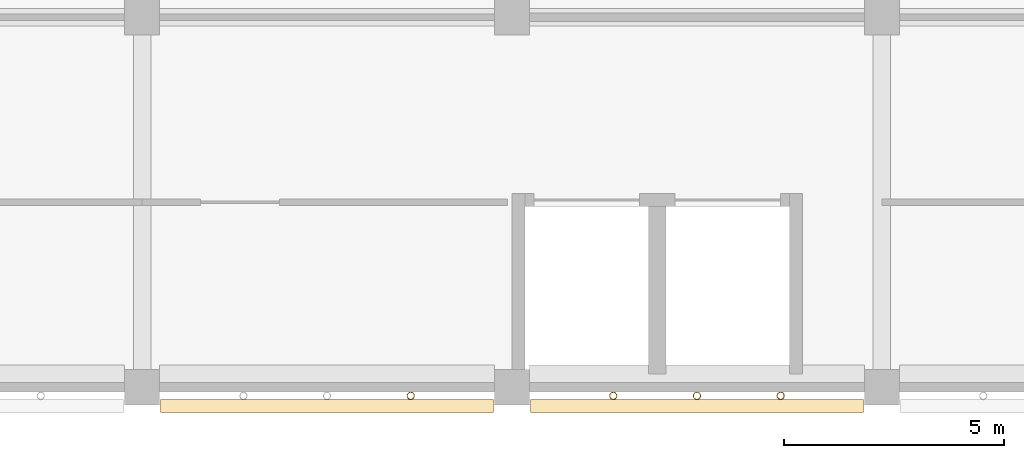
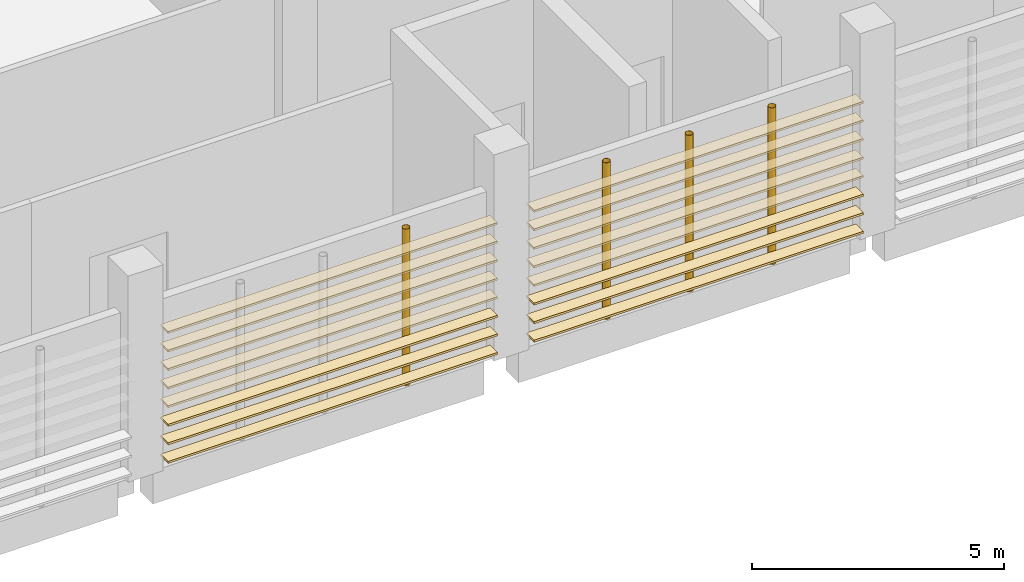
# One storey, part 69 of 101: 16 coverings, 4 shading devices.
"""IFC4 building model written with IfcOpenShell, lengths in metres."""

from ifc_helpers import new_model, si_unit, direction, frame, origin, origin_2d, place, context, subcontext, project, spatial, rectangle, hollow_circle, extrude, material, material_profile, profile_set, type_object, element, save


model = new_model("IFC4")

# Units and contexts
model_context = context("Model", 3, precision=1e-05, world=origin(), true_north=direction((0.0, 1.0)))
body_context = subcontext(model_context, "Body", "Model", "MODEL_VIEW")
ifc_project = project(units=[si_unit("LENGTHUNIT", "METRE"), si_unit("AREAUNIT", "SQUARE_METRE"), si_unit("VOLUMEUNIT", "CUBIC_METRE"), si_unit("PLANEANGLEUNIT", "RADIAN"), si_unit("MASSUNIT", "GRAM", prefix="KILO")], contexts=[model_context])

# Site, building, storey
site_placement = place(None, origin())
site = spatial("IfcSite", under=ifc_project, at=site_placement, CompositionType="ELEMENT")
building_placement = place(site_placement, origin())
building = spatial("IfcBuilding", under=site, at=building_placement, Name="Almond Square Museum", CompositionType="ELEMENT")
storey_placement = place(building_placement, frame((0.0, 0.0, 5.5)))
storey = spatial("IfcBuildingStorey", under=building, at=storey_placement, Name="L01", CompositionType="ELEMENT", Elevation=5.5)

# Shading devices
ifc_material_1 = material(Name="Structural steel S355", Category="steel")
ifc_material_profile_1 = material_profile(ifc_material_1, hollow_circle(Radius=0.084228515625, WallThickness=0.008056640625, at=origin_2d()))
ifc_profile_set_1 = profile_set([ifc_material_profile_1], Name="Structural steel S355")
shading_device_type = type_object("IfcShadingDeviceType", Name="Louvre post CHS 168.3 x 8", PredefinedType="USERDEFINED", material=ifc_profile_set_1)
for number, where, z_axis, x_axis, name in (
    (1, (87.699951171875, -0.194091796875, 0.0), (0.0, 0.0, 1.0), (1.0, 0.0, 0.0), "Louvre screen post"),
    (2, (92.300048828125, -0.194091796875, 0.0), (0.0, 0.0, 1.0), (1.0, 0.0, 0.0), "Louvre screen post"),
    (3, (94.199951171875, -0.194091796875, 0.0), (0.0, 0.0, 1.0), (1.0, 0.0, 0.0), "Louvre screen post"),
    (4, (96.10009765625, -0.194091796875, 0.0), (0.0, 0.0, 1.0), (1.0, 0.0, 0.0), "Louvre screen post"),
):
    element("IfcShadingDevice", number, at=place(storey_placement, frame(where, z_axis=z_axis, x_axis=x_axis)), inside=storey, type_object=shading_device_type, Name=name, ObjectType="POST", PredefinedType="USERDEFINED", context=body_context, shape_type="SweptSolid", body=[
        extrude(hollow_circle(Radius=0.084228515625, WallThickness=0.008056640625, at=origin_2d()), origin(), (0.0, 0.0, 1.0), 3.800048828125),
    ])

# Coverings
ifc_material_2 = material(Name="Cedar timber louvre board", Category="wood")
ifc_material_profile_2 = material_profile(ifc_material_2, rectangle(XDim=0.300048828125, YDim=0.050048828125, at=origin_2d()))
ifc_profile_set_2 = profile_set([ifc_material_profile_2], Name="Cedar timber louvre board")
covering_type = type_object("IfcCoveringType", Name="Louvre screen board 300 x 50", PredefinedType="CLADDING", material=ifc_profile_set_2)
for number, where, z_axis, x_axis, name in (
    (5, (82.02001953125, -0.42431640625, 0.300048828125), (1.0, 0.0, 0.0), (0.0, 1.0, 0.0), "Louvre screen board"),
    (6, (82.02001953125, -0.42431640625, 0.75), (1.0, 0.0, 0.0), (0.0, 1.0, 0.0), "Louvre screen board"),
    (7, (82.02001953125, -0.42431640625, 1.199951171875), (1.0, 0.0, 0.0), (0.0, 1.0, 0.0), "Louvre screen board"),
    (8, (82.02001953125, -0.42431640625, 1.64990234375), (1.0, 0.0, 0.0), (0.0, 1.0, 0.0), "Louvre screen board"),
    (9, (82.02001953125, -0.42431640625, 2.10009765625), (1.0, 0.0, 0.0), (0.0, 1.0, 0.0), "Louvre screen board"),
    (10, (82.02001953125, -0.42431640625, 2.550048828125), (1.0, 0.0, 0.0), (0.0, 1.0, 0.0), "Louvre screen board"),
    (11, (82.02001953125, -0.42431640625, 3.0), (1.0, 0.0, 0.0), (0.0, 1.0, 0.0), "Louvre screen board"),
    (12, (82.02001953125, -0.42431640625, 3.449951171875), (1.0, 0.0, 0.0), (0.0, 1.0, 0.0), "Louvre screen board"),
    (13, (90.419921875, -0.42431640625, 0.300048828125), (1.0, 0.0, 0.0), (0.0, 1.0, 0.0), "Louvre screen board"),
    (14, (90.419921875, -0.42431640625, 0.75), (1.0, 0.0, 0.0), (0.0, 1.0, 0.0), "Louvre screen board"),
    (15, (90.419921875, -0.42431640625, 1.199951171875), (1.0, 0.0, 0.0), (0.0, 1.0, 0.0), "Louvre screen board"),
    (16, (90.419921875, -0.42431640625, 1.64990234375), (1.0, 0.0, 0.0), (0.0, 1.0, 0.0), "Louvre screen board"),
    (17, (90.419921875, -0.42431640625, 2.10009765625), (1.0, 0.0, 0.0), (0.0, 1.0, 0.0), "Louvre screen board"),
    (18, (90.419921875, -0.42431640625, 2.550048828125), (1.0, 0.0, 0.0), (0.0, 1.0, 0.0), "Louvre screen board"),
    (19, (90.419921875, -0.42431640625, 3.0), (1.0, 0.0, 0.0), (0.0, 1.0, 0.0), "Louvre screen board"),
    (20, (90.419921875, -0.42431640625, 3.449951171875), (1.0, 0.0, 0.0), (0.0, 1.0, 0.0), "Louvre screen board"),
):
    element("IfcCovering", number, at=place(storey_placement, frame(where, z_axis=z_axis, x_axis=x_axis)), inside=storey, type_object=covering_type, Name=name, PredefinedType="CLADDING", context=body_context, shape_type="SweptSolid", body=[
        extrude(rectangle(XDim=0.300048828125, YDim=0.050048828125, at=origin_2d()), origin(), (0.0, 0.0, 1.0), 7.56005859375),
    ])

save(model, "model.ifc")
